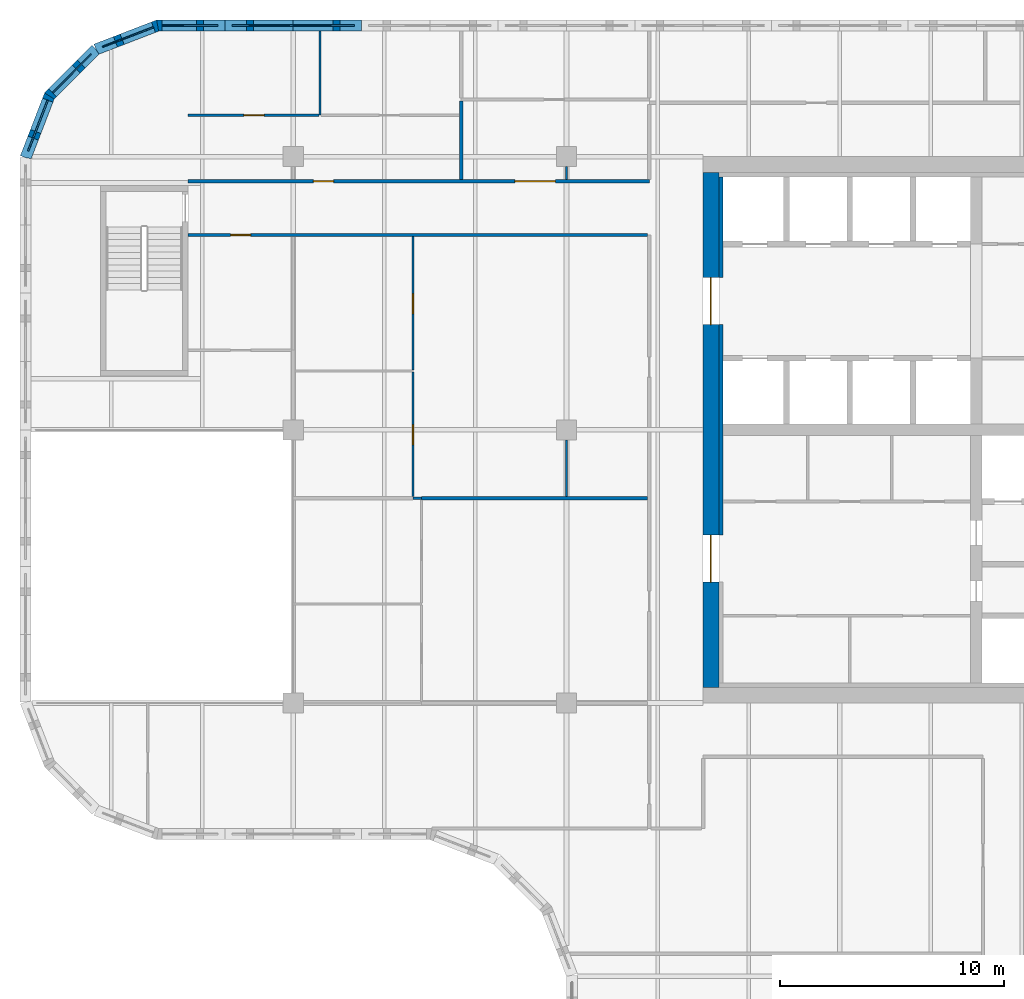
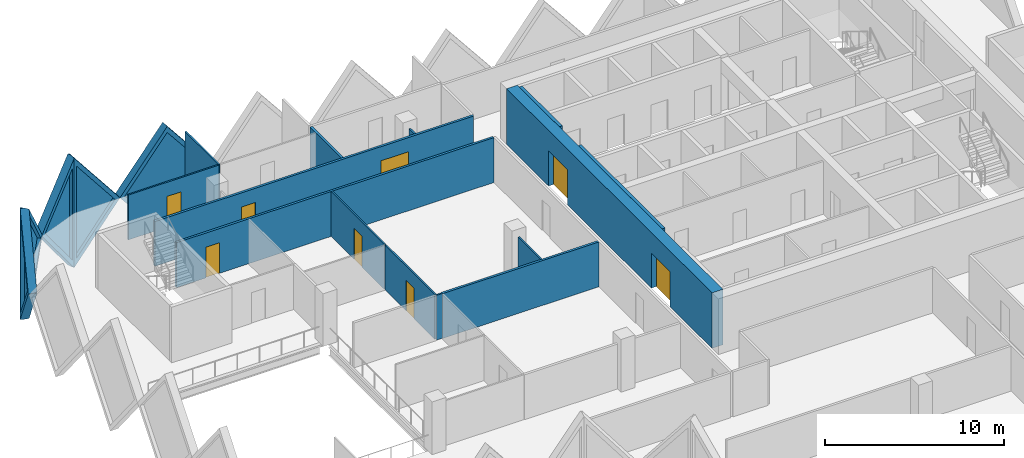
# One storey, part 7 of 12: 19 walls, 8 doors, 5 plates, 13 openings.
"""IFC4 building model written with IfcOpenShell, lengths in metres."""

from ifc_helpers import new_model, si_unit, direction, frame, frame_2d, origin, place, context, subcontext, project, spatial, polyline, rectangle, outline, extrude, faceted_brep, source, transform, mapped, material, layer, layer_set, type_object, element, fill, save


model = new_model("IFC4")

# Units and contexts
model_context = context("Model", 3, precision=1e-05, world=origin(), true_north=direction((0.0, 1.0)))
body_context = subcontext(model_context, "Body", "Model", "MODEL_VIEW")
ifc_project = project(units=[si_unit("LENGTHUNIT", "METRE"), si_unit("AREAUNIT", "SQUARE_METRE"), si_unit("VOLUMEUNIT", "CUBIC_METRE"), si_unit("PLANEANGLEUNIT", "RADIAN"), si_unit("MASSUNIT", "GRAM", prefix="KILO")], contexts=[model_context])

# Site, building, storey
site_placement = place(None, origin())
site = spatial("IfcSite", under=ifc_project, at=site_placement, CompositionType="ELEMENT")
building_placement = place(site_placement, origin())
building = spatial("IfcBuilding", under=site, at=building_placement, Name="Tessera Gate Towers", CompositionType="ELEMENT")
storey_placement = place(building_placement, frame((0.0, 0.0, 127.800048828125)))
storey = spatial("IfcBuildingStorey", under=building, at=storey_placement, Name="L31", CompositionType="ELEMENT", Elevation=127.800048828125)

# Wall, openings, doors
ifc_material_1 = material(Name="Concrete C60/75", Category="concrete")
ifc_layer_1 = layer(ifc_material_1, 0.699951171875)
ifc_layer_set_1 = layer_set([ifc_layer_1], Name="CORE SHEAR WALL 700 C60/75")
wall_type_1 = type_object("IfcWallType", Name="CORE SHEAR WALL 700 C60/75", PredefinedType="SHEAR", material=ifc_layer_set_1)
wall_1_placement = place(storey_placement, frame((30.85009765625, 25.10009765625, 0.0), z_axis=(0.0, 0.0, 1.0), x_axis=(0.0, 1.0, 0.0)))
wall_1 = element("IfcWall", 1, at=wall_1_placement, inside=storey, type_object=wall_type_1, Name="Core wall W L31", PredefinedType="SHEAR", context=body_context, shape_type="SweptSolid", body=[
    extrude(rectangle(XDim=23.0, YDim=0.699951171875, at=frame_2d((11.5, 0.0))), origin(), (0.0, 0.0, 1.0), 3.800048828125),
])
shared_shape_1 = source(origin(), body_context, "Body", "SweptSolid", [
    extrude(rectangle(XDim=2.10009765625, YDim=2.39990234375, at=frame_2d((1.050048828125, 1.199951171875))), frame((0.0, 0.35986328125, 0.0), z_axis=(0.0, -1.0, 0.0), x_axis=(1.0, 0.0, 0.0)), (0.0, 0.0, 1.0), 0.719970703125),
])
opening_1_placement = place(wall_1_placement, frame((4.699951171875, 0.0, 0.0)))
opening_1 = element("IfcOpeningElement", 2, at=opening_1_placement, cuts=wall_1, Name="Opening DD-T1-21-02", PredefinedType="OPENING", context=body_context, shape_type="MappedRepresentation", body=[
    mapped(shared_shape_1, transform((0.0, 0.0, 0.0), scale=1.0)),
])
opening_2_placement = place(wall_1_placement, frame((16.199951171875, 0.0, 0.0)))
opening_2 = element("IfcOpeningElement", 3, at=opening_2_placement, cuts=wall_1, Name="Opening DD-T1-21-03", PredefinedType="OPENING", context=body_context, shape_type="MappedRepresentation", body=[
    mapped(shared_shape_1, transform((0.0, 0.0, 0.0), scale=1.0)),
])
ifc_material_2 = material(Name="Hollow steel fire door", Category="steel")
door_type_1 = type_object("IfcDoorType", Name="CORE DOOR DD 2100x2400", OperationType="NOTDEFINED", PredefinedType="DOOR", material=ifc_material_2)
shared_shape_2 = source(origin(), body_context, "Body", "SweptSolid", [
    extrude(rectangle(XDim=2.10009765625, YDim=2.39990234375, at=frame_2d((1.050048828125, 1.199951171875))), frame((0.0, 0.02490234375, 0.0), z_axis=(0.0, -1.0, 0.0), x_axis=(1.0, 0.0, 0.0)), (0.0, 0.0, 1.0), 0.050048828125),
])
door_1_placement = place(opening_1_placement, origin())
door_1 = element("IfcDoor", 4, at=door_1_placement, inside=storey, type_object=door_type_1, Name="Core entrance door", OperationType="DOUBLE_DOOR_SINGLE_SWING", OverallHeight=2.39990234375, OverallWidth=2.10009765625, PredefinedType="DOOR", context=body_context, shape_type="MappedRepresentation", body=[
    mapped(shared_shape_2, transform((0.0, 0.0, 0.0), scale=1.0)),
])
fill(opening_1, door_1)
door_2_placement = place(opening_2_placement, origin())
door_2 = element("IfcDoor", 5, at=door_2_placement, inside=storey, type_object=door_type_1, Name="Core entrance door", OperationType="DOUBLE_DOOR_SINGLE_SWING", OverallHeight=2.39990234375, OverallWidth=2.10009765625, PredefinedType="DOOR", context=body_context, shape_type="MappedRepresentation", body=[
    mapped(shared_shape_2, transform((0.0, 0.0, 0.0), scale=1.0)),
])
fill(opening_2, door_2)

# Walls
ifc_material_3 = material(Name="Concrete C60/75", Category="concrete")
ifc_layer_2 = layer(ifc_material_3, 0.199951171875)
ifc_layer_set_2 = layer_set([ifc_layer_2], Name="CORE WALL THICKENING 200")
wall_type_2 = type_object("IfcWallType", Name="CORE WALL THICKENING 200", PredefinedType="SOLIDWALL", material=ifc_layer_set_2)
wall_2_placement = place(storey_placement, frame((31.300048828125, 31.89990234375, 0.0), z_axis=(0.0, 0.0, 1.0), x_axis=(0.0, 1.0, 0.0)))
element("IfcWall", 6, at=wall_2_placement, inside=storey, type_object=wall_type_2, Name="Core wall thickening W L31", PredefinedType="SOLIDWALL", context=body_context, shape_type="SweptSolid", body=[
    extrude(rectangle(XDim=9.400146484375, YDim=0.199951171875, at=frame_2d((4.7001953125, 0.0))), origin(), (0.0, 0.0, 1.0), 3.800048828125),
])
wall_3_placement = place(storey_placement, frame((31.300048828125, 43.39990234375, 0.0), z_axis=(0.0, 0.0, 1.0), x_axis=(0.0, 1.0, 0.0)))
element("IfcWall", 7, at=wall_3_placement, inside=storey, type_object=wall_type_2, Name="Core wall thickening W L31", PredefinedType="SOLIDWALL", context=body_context, shape_type="SweptSolid", body=[
    extrude(rectangle(XDim=4.5, YDim=0.199951171875, at=frame_2d((2.25, 0.0))), origin(), (0.0, 0.0, 1.0), 3.800048828125),
])

# Wall, opening, door
ifc_material_4 = material(Name="Gypsum board on steel studs, mineral wool", Category="steel")
ifc_layer_3 = layer(ifc_material_4, 0.14990234375)
ifc_layer_set_3 = layer_set([ifc_layer_3], Name="CORRIDOR WALL 150")
wall_type_3 = type_object("IfcWallType", Name="CORRIDOR WALL 150", PredefinedType="PARTITIONING", material=ifc_layer_set_3)
wall_4_placement = place(storey_placement, frame((28.02392578125, 45.300048828125, 0.0), z_axis=(0.0, 0.0, 1.0), x_axis=(-1.0, 0.0, 0.0)))
wall_4 = element("IfcWall", 8, at=wall_4_placement, inside=storey, type_object=wall_type_3, Name="T1-L31-PW-037", PredefinedType="PARTITIONING", context=body_context, shape_type="SweptSolid", body=[
    extrude(rectangle(XDim=20.52392578125, YDim=0.14990234375, at=frame_2d((10.261962890625, 0.0))), origin(), (0.0, 0.0, 1.0), 3.06689453125),
])
shared_shape_3 = source(origin(), body_context, "Body", "SweptSolid", [
    extrude(rectangle(XDim=0.89990234375, YDim=2.10009765625, at=frame_2d((0.449951171875, 1.050048828125))), frame((0.0, 0.0849609375, 0.0), z_axis=(0.0, -1.0, 0.0), x_axis=(1.0, 0.0, 0.0)), (0.0, 0.0, 1.0), 0.169921875),
])
opening_3_placement = place(wall_4_placement, frame((17.72412109375, 0.0, 0.0)))
opening_3 = element("IfcOpeningElement", 9, at=opening_3_placement, cuts=wall_4, Name="Opening D890FD60-A11-02", PredefinedType="OPENING", context=body_context, shape_type="MappedRepresentation", body=[
    mapped(shared_shape_3, transform((0.0, 0.0, 0.0), scale=1.0)),
])
ifc_material_5 = material(Name="Timber door leaf in steel frame", Category="steel")
door_type_2 = type_object("IfcDoorType", Name="CORRIDOR DOOR 900 FD60", OperationType="NOTDEFINED", PredefinedType="DOOR", material=ifc_material_5)
shared_shape_4 = source(origin(), body_context, "Body", "SweptSolid", [
    extrude(rectangle(XDim=0.89990234375, YDim=2.10009765625, at=frame_2d((0.449951171875, 1.050048828125))), frame((0.0, 0.02490234375, 0.0), z_axis=(0.0, -1.0, 0.0), x_axis=(1.0, 0.0, 0.0)), (0.0, 0.0, 1.0), 0.050048828125),
])
door_3_placement = place(opening_3_placement, origin())
door_3 = element("IfcDoor", 10, at=door_3_placement, inside=storey, type_object=door_type_2, Name="T1-L31-PD-005", OperationType="SINGLE_SWING_RIGHT", OverallHeight=2.10009765625, OverallWidth=0.89990234375, PredefinedType="DOOR", context=body_context, shape_type="MappedRepresentation", body=[
    mapped(shared_shape_4, transform((0.0, 0.0, 0.0), scale=1.0)),
])
fill(opening_3, door_3)

# Wall, openings, doors
wall_5_placement = place(storey_placement, frame((7.5, 47.699951171875, 0.0), z_axis=(0.0, 0.0, 1.0), x_axis=(1.0, 0.0, 0.0)))
wall_5 = element("IfcWall", 11, at=wall_5_placement, inside=storey, type_object=wall_type_3, Name="T1-L31-PW-038", PredefinedType="PARTITIONING", context=body_context, shape_type="SweptSolid", body=[
    extrude(rectangle(XDim=20.60009765625, YDim=0.14990234375, at=frame_2d((10.300048828125, 0.0))), origin(), (0.0, 0.0, 1.0), 3.06689453125),
])
shared_shape_5 = source(origin(), body_context, "Body", "SweptSolid", [
    extrude(rectangle(XDim=1.800048828125, YDim=2.10009765625, at=frame_2d((0.89990234375, 1.050048828125))), frame((0.0, 0.0849609375, 0.0), z_axis=(0.0, -1.0, 0.0), x_axis=(1.0, 0.0, 0.0)), (0.0, 0.0, 1.0), 0.169921875),
])
opening_4_placement = place(wall_5_placement, frame((14.60107421875, 0.0, 0.0)))
opening_4 = element("IfcOpeningElement", 12, at=opening_4_placement, cuts=wall_5, Name="Opening D2180FD60-A11-01", PredefinedType="OPENING", context=body_context, shape_type="MappedRepresentation", body=[
    mapped(shared_shape_5, transform((0.0, 0.0, 0.0), scale=1.0)),
])
opening_5_placement = place(wall_5_placement, frame((5.60009765625, 0.0, 0.0)))
opening_5 = element("IfcOpeningElement", 13, at=opening_5_placement, cuts=wall_5, Name="Opening D890FD60-A11-07", PredefinedType="OPENING", context=body_context, shape_type="MappedRepresentation", body=[
    mapped(shared_shape_3, transform((0.0, 0.0, 0.0), scale=1.0)),
])
door_4_placement = place(opening_5_placement, origin())
door_4 = element("IfcDoor", 14, at=door_4_placement, inside=storey, type_object=door_type_2, Name="T1-L31-PD-023", OperationType="SINGLE_SWING_LEFT", OverallHeight=2.10009765625, OverallWidth=0.89990234375, PredefinedType="DOOR", context=body_context, shape_type="MappedRepresentation", body=[
    mapped(shared_shape_4, transform((0.0, 0.0, 0.0), scale=1.0)),
])
fill(opening_5, door_4)
ifc_material_6 = material(Name="Timber door leaf in steel frame", Category="steel")
door_type_3 = type_object("IfcDoorType", Name="TENANCY ENTRANCE DOUBLE DOOR 1800 FD60", OperationType="NOTDEFINED", PredefinedType="DOOR", material=ifc_material_6)
shared_shape_6 = source(origin(), body_context, "Body", "SweptSolid", [
    extrude(rectangle(XDim=1.800048828125, YDim=2.10009765625, at=frame_2d((0.89990234375, 1.050048828125))), frame((0.0, 0.02490234375, 0.0), z_axis=(0.0, -1.0, 0.0), x_axis=(1.0, 0.0, 0.0)), (0.0, 0.0, 1.0), 0.050048828125),
])
door_5_placement = place(opening_4_placement, origin())
door_5 = element("IfcDoor", 15, at=door_5_placement, inside=storey, type_object=door_type_3, Name="T1-L31-PD-015", OperationType="DOUBLE_DOOR_SINGLE_SWING", OverallHeight=2.10009765625, OverallWidth=1.800048828125, PredefinedType="DOOR", context=body_context, shape_type="MappedRepresentation", body=[
    mapped(shared_shape_6, transform((0.0, 0.0, 0.0), scale=1.0)),
])
fill(opening_4, door_5)

# Wall
ifc_material_7 = material(Name="Glass", Category="glass")
ifc_layer_4 = layer(ifc_material_7, 0.10009765625)
ifc_layer_set_4 = layer_set([ifc_layer_4], Name="GLAZED PARTITION 100")
wall_type_4 = type_object("IfcWallType", Name="GLAZED PARTITION 100", PredefinedType="PARTITIONING", material=ifc_layer_set_4)
wall_6_placement = place(storey_placement, frame((17.551025390625, 33.550048828125, 0.0), z_axis=(0.0, 0.0, 1.0), x_axis=(1.0, 0.0, 0.0)))
element("IfcWall", 16, at=wall_6_placement, inside=storey, type_object=wall_type_4, Name="T1-L31-PW-028", PredefinedType="PARTITIONING", context=body_context, shape_type="SweptSolid", body=[
    extrude(rectangle(XDim=0.373046875, YDim=0.10009765625, at=frame_2d((0.1865234375, 0.0))), origin(), (0.0, 0.0, 1.0), 3.06689453125),
])

# Wall, opening, door
wall_7_placement = place(storey_placement, frame((17.550048828125, 33.6259765625, 0.0), z_axis=(0.0, 0.0, 1.0), x_axis=(0.0, 1.0, 0.0)))
wall_7 = element("IfcWall", 17, at=wall_7_placement, inside=storey, type_object=wall_type_4, Name="T1-L31-PW-030", PredefinedType="PARTITIONING", context=body_context, shape_type="SweptSolid", body=[
    extrude(rectangle(XDim=5.54931640625, YDim=0.10009765625, at=frame_2d((2.774658203125, 0.0))), origin(), (0.0, 0.0, 1.0), 3.06689453125),
])
shared_shape_7 = source(origin(), body_context, "Body", "SweptSolid", [
    extrude(rectangle(XDim=0.89990234375, YDim=2.10009765625, at=frame_2d((0.449951171875, 1.050048828125))), frame((0.0, 0.06005859375, 0.0), z_axis=(0.0, -1.0, 0.0), x_axis=(1.0, 0.0, 0.0)), (0.0, 0.0, 1.0), 0.1201171875),
])
opening_6_placement = place(wall_7_placement, frame((2.300048828125, 0.0, 0.0)))
opening_6 = element("IfcOpeningElement", 18, at=opening_6_placement, cuts=wall_7, Name="Opening D690-A11-04", PredefinedType="OPENING", context=body_context, shape_type="MappedRepresentation", body=[
    mapped(shared_shape_7, transform((0.0, 0.0, 0.0), scale=1.0)),
])
ifc_material_8 = material(Name="Glass in aluminium frame", Category="aluminium")
door_type_4 = type_object("IfcDoorType", Name="GLAZED DOOR 900 NOT RATED", OperationType="NOTDEFINED", PredefinedType="DOOR", material=ifc_material_8)
door_6_placement = place(opening_6_placement, origin())
door_6 = element("IfcDoor", 19, at=door_6_placement, inside=storey, type_object=door_type_4, Name="T1-L31-PD-007", OperationType="SINGLE_SWING_LEFT", OverallHeight=2.10009765625, OverallWidth=0.89990234375, PredefinedType="DOOR", context=body_context, shape_type="MappedRepresentation", body=[
    mapped(shared_shape_4, transform((0.0, 0.0, 0.0), scale=1.0)),
])
fill(opening_6, door_6)

wall_8_placement = place(storey_placement, frame((17.550048828125, 39.27734375, 0.0), z_axis=(0.0, 0.0, 1.0), x_axis=(0.0, 1.0, 0.0)))
wall_8 = element("IfcWall", 20, at=wall_8_placement, inside=storey, type_object=wall_type_4, Name="T1-L31-PW-034", PredefinedType="PARTITIONING", context=body_context, shape_type="SweptSolid", body=[
    extrude(rectangle(XDim=5.94677734375, YDim=0.10009765625, at=frame_2d((2.973388671875, 0.0))), origin(), (0.0, 0.0, 1.0), 3.06689453125),
])
opening_7_placement = place(wall_8_placement, frame((2.5, 0.0, 0.0)))
opening_7 = element("IfcOpeningElement", 21, at=opening_7_placement, cuts=wall_8, Name="Opening D690-A11-06", PredefinedType="OPENING", context=body_context, shape_type="MappedRepresentation", body=[
    mapped(shared_shape_7, transform((0.0, 0.0, 0.0), scale=1.0)),
])
door_7_placement = place(opening_7_placement, origin())
door_7 = element("IfcDoor", 22, at=door_7_placement, inside=storey, type_object=door_type_4, Name="T1-L31-PD-010", OperationType="SINGLE_SWING_LEFT", OverallHeight=2.10009765625, OverallWidth=0.89990234375, PredefinedType="DOOR", context=body_context, shape_type="MappedRepresentation", body=[
    mapped(shared_shape_4, transform((0.0, 0.0, 0.0), scale=1.0)),
])
fill(opening_7, door_7)

wall_9_placement = place(storey_placement, frame((7.5, 50.64990234375, 0.0), z_axis=(0.0, 0.0, 1.0), x_axis=(1.0, 0.0, 0.0)))
wall_9 = element("IfcWall", 23, at=wall_9_placement, inside=storey, type_object=wall_type_4, Name="T1-L31-PW-043", PredefinedType="PARTITIONING", context=body_context, shape_type="SweptSolid", body=[
    extrude(rectangle(XDim=5.8427734375, YDim=0.10009765625, at=frame_2d((2.92138671875, 0.0))), origin(), (0.0, 0.0, 1.0), 3.06689453125),
])
opening_8_placement = place(wall_9_placement, frame((2.5, 0.0, 0.0)))
opening_8 = element("IfcOpeningElement", 24, at=opening_8_placement, cuts=wall_9, Name="Opening D690-A11-05", PredefinedType="OPENING", context=body_context, shape_type="MappedRepresentation", body=[
    mapped(shared_shape_7, transform((0.0, 0.0, 0.0), scale=1.0)),
])
door_8_placement = place(opening_8_placement, origin())
door_8 = element("IfcDoor", 25, at=door_8_placement, inside=storey, type_object=door_type_4, Name="T1-L31-PD-008", OperationType="SINGLE_SWING_LEFT", OverallHeight=2.10009765625, OverallWidth=0.89990234375, PredefinedType="DOOR", context=body_context, shape_type="MappedRepresentation", body=[
    mapped(shared_shape_4, transform((0.0, 0.0, 0.0), scale=1.0)),
])
fill(opening_8, door_8)

# Walls
ifc_material_9 = material(Name="Gypsum board on steel studs", Category="steel")
ifc_layer_5 = layer(ifc_material_9, 0.10009765625)
ifc_layer_set_5 = layer_set([ifc_layer_5], Name="PARTITION 100")
wall_type_5 = type_object("IfcWallType", Name="PARTITION 100", PredefinedType="PARTITIONING", material=ifc_layer_set_5)
wall_10_placement = place(storey_placement, frame((24.39990234375, 36.14990234375, 0.0), z_axis=(0.0, 0.0, 1.0), x_axis=(0.0, -1.0, 0.0)))
element("IfcWall", 26, at=wall_10_placement, inside=storey, type_object=wall_type_5, Name="T1-L31-PW-031", PredefinedType="PARTITIONING", context=body_context, shape_type="SweptSolid", body=[
    extrude(rectangle(XDim=2.52490234375, YDim=0.10009765625, at=frame_2d((1.262451171875, 0.0))), origin(), (0.0, 0.0, 1.0), 3.06689453125),
])
wall_11_placement = place(storey_placement, frame((24.39990234375, 48.35009765625, 0.0), z_axis=(0.0, 0.0, 1.0), x_axis=(0.0, -1.0, 0.0)))
element("IfcWall", 27, at=wall_11_placement, inside=storey, type_object=wall_type_5, Name="T1-L31-PW-042", PredefinedType="PARTITIONING", context=body_context, shape_type="SweptSolid", body=[
    extrude(rectangle(XDim=0.5751953125, YDim=0.10009765625, at=frame_2d((0.28759765625, 0.0))), origin(), (0.0, 0.0, 1.0), 3.06689453125),
])
wall_12_placement = place(storey_placement, frame((13.39404296875, 50.64990234375, 0.0), z_axis=(0.0, 0.0, 1.0), x_axis=(0.0, 1.0, 0.0)))
element("IfcWall", 28, at=wall_12_placement, inside=storey, type_object=wall_type_5, Name="T1-L31-PW-044", PredefinedType="PARTITIONING", context=body_context, shape_type="SweptSolid", body=[
    extrude(rectangle(XDim=3.75, YDim=0.10009765625, at=frame_2d((1.875, 0.0))), origin(), (0.0, 0.0, 1.0), 3.06689453125),
])
ifc_material_10 = material(Name="Gypsum board on steel studs, mineral wool", Category="steel")
ifc_layer_6 = layer(ifc_material_10, 0.14990234375)
ifc_layer_set_6 = layer_set([ifc_layer_6], Name="TENANCY WALL 150")
wall_type_6 = type_object("IfcWallType", Name="TENANCY WALL 150", PredefinedType="PARTITIONING", material=ifc_layer_set_6)
wall_13_placement = place(storey_placement, frame((17.925048828125, 33.550048828125, 0.0), z_axis=(0.0, 0.0, 1.0), x_axis=(1.0, 0.0, 0.0)))
element("IfcWall", 29, at=wall_13_placement, inside=storey, type_object=wall_type_6, Name="T1-L31-PW-029", PredefinedType="PARTITIONING", context=body_context, shape_type="SweptSolid", body=[
    extrude(rectangle(XDim=10.098876953125, YDim=0.14990234375, at=frame_2d((5.04931640625, 0.0))), origin(), (0.0, 0.0, 1.0), 3.06689453125),
])
wall_14_placement = place(storey_placement, frame((19.699951171875, 47.77587890625, 0.0), z_axis=(0.0, 0.0, 1.0), x_axis=(0.0, 1.0, 0.0)))
element("IfcWall", 30, at=wall_14_placement, inside=storey, type_object=wall_type_6, Name="T1-L31-PW-039", PredefinedType="PARTITIONING", context=body_context, shape_type="SweptSolid", body=[
    extrude(rectangle(XDim=3.498046875, YDim=0.14990234375, at=frame_2d((1.7490234375, 0.0))), origin(), (0.0, 0.0, 1.0), 3.06689453125),
])

# Wall, opening, plate
ifc_material_11 = material(Name="Precast concrete C60/75 white", Category="concrete")
ifc_layer_7 = layer(ifc_material_11, 0.5)
ifc_layer_set_7 = layer_set([ifc_layer_7], Name="TS1 tessera")
wall_type_7 = type_object("IfcWallType", Name="TS1 tessera", PredefinedType="SOLIDWALL", material=ifc_layer_set_7)
shared_shape_8 = source(origin(), body_context, "Body", "SweptSolid", [
    extrude(outline(polyline([(3.050048828125, 0.0), (6.10009765625, 3.800048828125), (3.050048828125, 7.60009765625), (0.0, 3.800048828125), (3.050048828125, 0.0)])), frame((0.0, 0.25, 0.0), z_axis=(0.0, -1.0, 0.0), x_axis=(1.0, 0.0, 0.0)), (0.0, 0.0, 1.0), 0.5),
])
wall_15_placement = place(storey_placement, frame((15.25, 54.64990234375, -3.800048828125), z_axis=(0.0, 0.0, 1.0), x_axis=(-1.0, 0.0, 0.0)))
wall_15 = element("IfcWall", 31, at=wall_15_placement, inside=storey, type_object=wall_type_7, Name="Precast tessera T1 TS1-0522", PredefinedType="SOLIDWALL", context=body_context, shape_type="MappedRepresentation", body=[
    mapped(shared_shape_8, transform((0.0, 0.0, 0.0), scale=1.0)),
])
shared_shape_9 = source(origin(), body_context, "Body", "SweptSolid", [
    extrude(outline(polyline([(3.050048828125, 0.3994140625), (5.779541015625, 3.800048828125), (3.050048828125, 7.20068359375), (0.320556640625, 3.800048828125), (3.050048828125, 0.3994140625)])), frame((0.0, 0.260009765625, 0.0), z_axis=(0.0, -1.0, 0.0), x_axis=(1.0, 0.0, 0.0)), (0.0, 0.0, 1.0), 0.52001953125),
])
opening_9_placement = place(wall_15_placement, origin())
opening_9 = element("IfcOpeningElement", 32, at=opening_9_placement, cuts=wall_15, Name="Opening T1-PL2-1060", PredefinedType="OPENING", context=body_context, shape_type="MappedRepresentation", body=[
    mapped(shared_shape_9, transform((0.0, 0.0, 0.0), scale=1.0)),
])
ifc_material_12 = material(Name="Low-e laminated glass", Category="glass")
ifc_layer_8 = layer(ifc_material_12, 0.06005859375)
ifc_layer_set_8 = layer_set([ifc_layer_8], Name="PL2 rhombic pane")
plate_type = type_object("IfcPlateType", Name="PL2 rhombic pane", PredefinedType="SHEET", material=ifc_layer_set_8)
shared_shape_10 = source(origin(), body_context, "Body", "SweptSolid", [
    extrude(outline(polyline([(3.050048828125, 0.3994140625), (5.779541015625, 3.800048828125), (3.050048828125, 7.20068359375), (0.320556640625, 3.800048828125), (3.050048828125, 0.3994140625)])), frame((0.0, 0.030029296875, 0.0), z_axis=(0.0, -1.0, 0.0), x_axis=(1.0, 0.0, 0.0)), (0.0, 0.0, 1.0), 0.06005859375),
])
plate_1_placement = place(opening_9_placement, origin())
plate_1 = element("IfcPlate", 33, at=plate_1_placement, inside=storey, type_object=plate_type, Name="Glass pane T1 PL2-1060", PredefinedType="SHEET", context=body_context, shape_type="MappedRepresentation", body=[
    mapped(shared_shape_10, transform((0.0, 0.0, 0.0), scale=1.0)),
])
fill(opening_9, plate_1)

ifc_material_13 = material(Name="Precast concrete C60/75 white", Category="concrete")
ifc_layer_9 = layer(ifc_material_13, 0.5)
ifc_layer_set_9 = layer_set([ifc_layer_9], Name="TS3 corner tessera")
wall_type_8 = type_object("IfcWallType", Name="TS3 corner tessera", PredefinedType="SOLIDWALL", material=ifc_layer_set_9)
shared_shape_11 = source(origin(), body_context, "Body", "Brep", [
    faceted_brep([(3.00341796875, -0.25, 0.0), (3.050048828125, -0.25, 0.06005859375), (3.050048828125, -0.25, 7.5400390625), (3.00341796875, -0.25, 7.60009765625), (0.0, -0.25, 3.800048828125), (0.0, 0.25, 3.800048828125), (2.956787109375, 0.25, 7.541259765625), (2.956787109375, 0.25, 0.058837890625), (3.00341796875, 0.000244140625, 0.0), (3.00341796875, 0.000244140625, 7.60009765625)], [[[0, 1, 2, 3, 4]], [[5, 6, 7]], [[1, 0, 8]], [[9, 3, 2]], [[6, 5, 4, 3, 9]], [[5, 7, 8, 0, 4]], [[1, 8, 7, 6, 9, 2]]]),
])
wall_16_placement = place(storey_placement, frame((9.14990234375, 54.64990234375, -3.800048828125), z_axis=(0.0, 0.0, 1.0), x_axis=(-1.0, 0.0, 0.0)))
wall_16 = element("IfcWall", 34, at=wall_16_placement, inside=storey, type_object=wall_type_8, Name="Precast corner tessera T1 TS3-0707", PredefinedType="SOLIDWALL", context=body_context, shape_type="MappedRepresentation", body=[
    mapped(shared_shape_11, transform((0.0, 0.0, 0.0), scale=1.0)),
])
shared_shape_12 = source(origin(), body_context, "Body", "SweptSolid", [
    extrude(outline(polyline([(2.803466796875, 6.94384765625), (0.318603515625, 3.800048828125), (2.803466796875, 0.65625), (2.803466796875, 6.94384765625)])), frame((0.0, 0.260009765625, 0.0), z_axis=(0.0, -1.0, 0.0), x_axis=(1.0, 0.0, 0.0)), (0.0, 0.0, 1.0), 0.52001953125),
])
opening_10_placement = place(wall_16_placement, origin())
opening_10 = element("IfcOpeningElement", 35, at=opening_10_placement, cuts=wall_16, Name="Opening T1-PL2-1061", PredefinedType="OPENING", context=body_context, shape_type="MappedRepresentation", body=[
    mapped(shared_shape_12, transform((0.0, 0.0, 0.0), scale=1.0)),
])
shared_shape_13 = source(origin(), body_context, "Body", "SweptSolid", [
    extrude(outline(polyline([(2.803466796875, 6.94384765625), (0.318603515625, 3.800048828125), (2.803466796875, 0.65625), (2.803466796875, 6.94384765625)])), frame((0.0, 0.030029296875, 0.0), z_axis=(0.0, -1.0, 0.0), x_axis=(1.0, 0.0, 0.0)), (0.0, 0.0, 1.0), 0.06005859375),
])
plate_2_placement = place(opening_10_placement, origin())
plate_2 = element("IfcPlate", 36, at=plate_2_placement, inside=storey, type_object=plate_type, Name="Glass pane T1 PL2-1061", PredefinedType="SHEET", context=body_context, shape_type="MappedRepresentation", body=[
    mapped(shared_shape_13, transform((0.0, 0.0, 0.0), scale=1.0)),
])
fill(opening_10, plate_2)

shared_shape_14 = source(origin(), body_context, "Body", "Brep", [
    faceted_brep([(0.046630859375, -0.25, 0.0), (2.9970703125, -0.25, 3.800048828125), (0.046630859375, -0.25, 7.60009765625), (0.0, -0.25, 7.541259765625), (0.0, -0.25, 0.058837890625), (0.09326171875, 0.25, 7.5400390625), (2.9443359375, 0.25, 3.8681640625), (2.9443359375, 0.25, 3.73193359375), (0.09326171875, 0.25, 0.06005859375), (2.9970703125, 0.00048828125, 3.800048828125), (0.046630859375, 0.0, 0.0), (0.046630859375, 0.0, 7.60009765625)], [[[0, 1, 2, 3, 4]], [[5, 6, 7, 8]], [[8, 7, 9, 1, 0, 10]], [[6, 5, 11, 2, 1, 9]], [[3, 2, 11]], [[10, 0, 4]], [[8, 10, 4, 3, 11, 5]], [[9, 7, 6]]]),
])
wall_17_placement = place(storey_placement, frame((6.18994140625, 54.666748046875, -3.800048828125), z_axis=(0.0, 0.0, 1.0), x_axis=(-0.932990326376, -0.359901446078, 0.0)))
wall_17 = element("IfcWall", 37, at=wall_17_placement, inside=storey, type_object=wall_type_8, Name="Precast corner tessera T1 TS3-0708", PredefinedType="SOLIDWALL", context=body_context, shape_type="MappedRepresentation", body=[
    mapped(shared_shape_14, transform((0.0, 0.0, 0.0), scale=1.0)),
])
shared_shape_15 = source(origin(), body_context, "Body", "SweptSolid", [
    extrude(outline(polyline([(0.24658203125, 0.665283203125), (2.6806640625, 3.800048828125), (0.24658203125, 6.934814453125), (0.24658203125, 0.665283203125)])), frame((0.0, 0.260009765625, 0.0), z_axis=(0.0, -1.0, 0.0), x_axis=(1.0, 0.0, 0.0)), (0.0, 0.0, 1.0), 0.52001953125),
])
opening_11_placement = place(wall_17_placement, origin())
opening_11 = element("IfcOpeningElement", 38, at=opening_11_placement, cuts=wall_17, Name="Opening T1-PL2-1062", PredefinedType="OPENING", context=body_context, shape_type="MappedRepresentation", body=[
    mapped(shared_shape_15, transform((0.0, 0.0, 0.0), scale=1.0)),
])
shared_shape_16 = source(origin(), body_context, "Body", "SweptSolid", [
    extrude(outline(polyline([(0.24658203125, 0.665283203125), (2.6806640625, 3.800048828125), (0.24658203125, 6.934814453125), (0.24658203125, 0.665283203125)])), frame((0.0, 0.030029296875, 0.0), z_axis=(0.0, -1.0, 0.0), x_axis=(1.0, 0.0, 0.0)), (0.0, 0.0, 1.0), 0.06005859375),
])
plate_3_placement = place(opening_11_placement, origin())
plate_3 = element("IfcPlate", 39, at=plate_3_placement, inside=storey, type_object=plate_type, Name="Glass pane T1 PL2-1062", PredefinedType="SHEET", context=body_context, shape_type="MappedRepresentation", body=[
    mapped(shared_shape_16, transform((0.0, 0.0, 0.0), scale=1.0)),
])
fill(opening_11, plate_3)

shared_shape_17 = source(origin(), body_context, "Body", "Brep", [
    faceted_brep([(0.052978515625, -0.25, 0.0), (3.00341796875, -0.25, 3.800048828125), (0.052978515625, -0.25, 7.60009765625), (0.0, -0.25, 7.53173828125), (0.0, -0.25, 0.068359375), (0.10595703125, 0.25, 7.531982421875), (2.95703125, 0.25, 3.85986328125), (2.95703125, 0.25, 3.740234375), (0.10595703125, 0.25, 0.068115234375), (3.00341796875, 0.00048828125, 3.800048828125), (0.052978515625, 0.0, 0.0), (0.052978515625, 0.0, 7.60009765625)], [[[0, 1, 2, 3, 4]], [[5, 6, 7, 8]], [[8, 7, 9, 1, 0, 10]], [[6, 5, 11, 2, 1, 9]], [[3, 2, 11]], [[10, 0, 4]], [[8, 10, 4, 3, 11, 5]], [[9, 7, 6]]]),
])
wall_18_placement = place(storey_placement, frame((1.3310546875, 51.5556640625, -3.800048828125), z_axis=(0.0, 0.0, 1.0), x_axis=(-0.35992665181, -0.932980602862, 0.0)))
wall_18 = element("IfcWall", 40, at=wall_18_placement, inside=storey, type_object=wall_type_8, Name="Precast corner tessera T1 TS3-0710", PredefinedType="SOLIDWALL", context=body_context, shape_type="MappedRepresentation", body=[
    mapped(shared_shape_17, transform((0.0, 0.0, 0.0), scale=1.0)),
])
shared_shape_18 = source(origin(), body_context, "Body", "SweptSolid", [
    extrude(outline(polyline([(0.2529296875, 0.665283203125), (2.68701171875, 3.800048828125), (0.2529296875, 6.934814453125), (0.2529296875, 0.665283203125)])), frame((0.0, 0.260009765625, 0.0), z_axis=(0.0, -1.0, 0.0), x_axis=(1.0, 0.0, 0.0)), (0.0, 0.0, 1.0), 0.52001953125),
])
opening_12_placement = place(wall_18_placement, origin())
opening_12 = element("IfcOpeningElement", 41, at=opening_12_placement, cuts=wall_18, Name="Opening T1-PL2-1064", PredefinedType="OPENING", context=body_context, shape_type="MappedRepresentation", body=[
    mapped(shared_shape_18, transform((0.0, 0.0, 0.0), scale=1.0)),
])
shared_shape_19 = source(origin(), body_context, "Body", "SweptSolid", [
    extrude(outline(polyline([(0.2529296875, 0.665283203125), (2.68701171875, 3.800048828125), (0.2529296875, 6.934814453125), (0.2529296875, 0.665283203125)])), frame((0.0, 0.030029296875, 0.0), z_axis=(0.0, -1.0, 0.0), x_axis=(1.0, 0.0, 0.0)), (0.0, 0.0, 1.0), 0.06005859375),
])
plate_4_placement = place(opening_12_placement, origin())
plate_4 = element("IfcPlate", 42, at=plate_4_placement, inside=storey, type_object=plate_type, Name="Glass pane T1 PL2-1064", PredefinedType="SHEET", context=body_context, shape_type="MappedRepresentation", body=[
    mapped(shared_shape_19, transform((0.0, 0.0, 0.0), scale=1.0)),
])
fill(opening_12, plate_4)

shared_shape_20 = source(origin(), body_context, "Body", "Brep", [
    faceted_brep([(2.944091796875, -0.25, 0.0), (2.9970703125, -0.25, 0.068115234375), (2.9970703125, -0.25, 7.531982421875), (2.944091796875, -0.25, 7.60009765625), (0.0, -0.25, 3.800048828125), (0.052978515625, 0.25, 3.868408203125), (2.89111328125, 0.25, 7.531982421875), (2.89111328125, 0.25, 0.068115234375), (0.052978515625, 0.25, 3.731689453125), (2.944091796875, 0.000244140625, 0.0), (2.944091796875, 0.000244140625, 7.60009765625), (0.0, 0.0, 3.800048828125)], [[[0, 1, 2, 3, 4]], [[5, 6, 7, 8]], [[1, 0, 9]], [[10, 3, 2]], [[6, 5, 11, 4, 3, 10]], [[8, 7, 9, 0, 4, 11]], [[8, 11, 5]], [[1, 9, 7, 6, 10, 2]]]),
])
wall_19_placement = place(storey_placement, frame((3.393798828125, 53.588134765625, -3.800048828125), z_axis=(0.0, 0.0, 1.0), x_axis=(-0.707106781187, -0.707106781187, 0.0)))
wall_19 = element("IfcWall", 43, at=wall_19_placement, inside=storey, type_object=wall_type_8, Name="Precast corner tessera T1 TS3-0709", PredefinedType="SOLIDWALL", context=body_context, shape_type="MappedRepresentation", body=[
    mapped(shared_shape_20, transform((0.0, 0.0, 0.0), scale=1.0)),
])
shared_shape_21 = source(origin(), body_context, "Body", "SweptSolid", [
    extrude(outline(polyline([(2.744140625, 6.93359375), (0.316162109375, 3.800048828125), (2.744140625, 0.666259765625), (2.744140625, 6.93359375)])), frame((0.0, 0.260009765625, 0.0), z_axis=(0.0, -1.0, 0.0), x_axis=(1.0, 0.0, 0.0)), (0.0, 0.0, 1.0), 0.52001953125),
])
opening_13_placement = place(wall_19_placement, origin())
opening_13 = element("IfcOpeningElement", 44, at=opening_13_placement, cuts=wall_19, Name="Opening T1-PL2-1063", PredefinedType="OPENING", context=body_context, shape_type="MappedRepresentation", body=[
    mapped(shared_shape_21, transform((0.0, 0.0, 0.0), scale=1.0)),
])
shared_shape_22 = source(origin(), body_context, "Body", "SweptSolid", [
    extrude(outline(polyline([(2.744140625, 6.93359375), (0.316162109375, 3.800048828125), (2.744140625, 0.666259765625), (2.744140625, 6.93359375)])), frame((0.0, 0.030029296875, 0.0), z_axis=(0.0, -1.0, 0.0), x_axis=(1.0, 0.0, 0.0)), (0.0, 0.0, 1.0), 0.06005859375),
])
plate_5_placement = place(opening_13_placement, origin())
plate_5 = element("IfcPlate", 45, at=plate_5_placement, inside=storey, type_object=plate_type, Name="Glass pane T1 PL2-1063", PredefinedType="SHEET", context=body_context, shape_type="MappedRepresentation", body=[
    mapped(shared_shape_22, transform((0.0, 0.0, 0.0), scale=1.0)),
])
fill(opening_13, plate_5)

save(model, "model.ifc")
